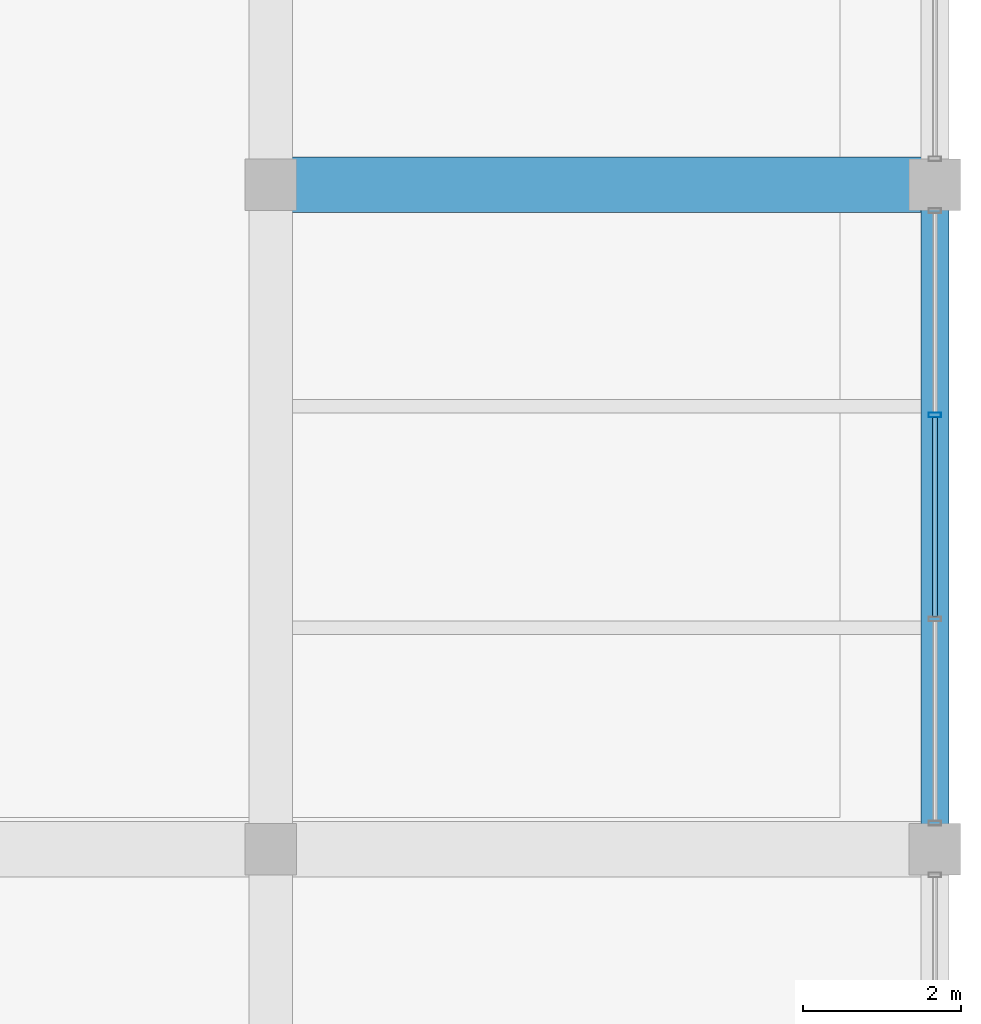
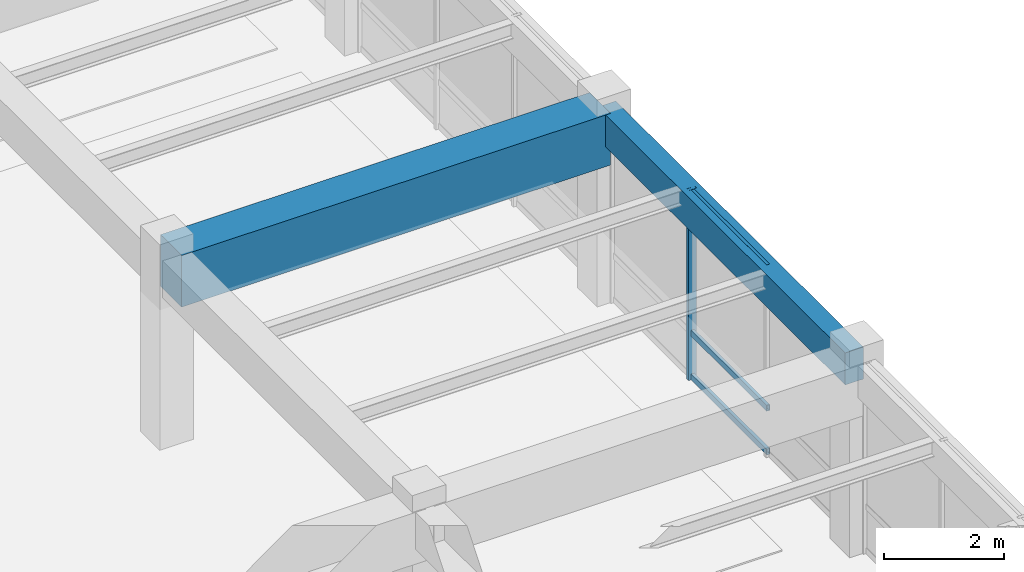
# One storey, part 94 of 138: 4 members, 2 beams, 1 element without a shape of its own.
"""IFC4 building model written with IfcOpenShell, lengths in metres."""

from ifc_helpers import new_model, si_unit, direction, frame, origin, origin_2d, place, context, subcontext, project, spatial, rectangle, hollow_rectangle, extrude, material, material_profile, profile_set, type_object, element, aggregate, save


model = new_model("IFC4")

# Units and contexts
model_context = context("Model", 3, precision=1e-05, world=origin(), true_north=direction((0.0, 1.0)))
body_context = subcontext(model_context, "Body", "Model", "MODEL_VIEW")
ifc_project = project(units=[si_unit("LENGTHUNIT", "METRE"), si_unit("AREAUNIT", "SQUARE_METRE"), si_unit("VOLUMEUNIT", "CUBIC_METRE"), si_unit("PLANEANGLEUNIT", "RADIAN"), si_unit("MASSUNIT", "GRAM", prefix="KILO"), si_unit("THERMODYNAMICTEMPERATUREUNIT", "KELVIN"), si_unit("POWERUNIT", "WATT")], contexts=[model_context])

# Site, building, storey
site_placement = place(None, origin())
site = spatial("IfcSite", under=ifc_project, at=site_placement, CompositionType="ELEMENT")
building_placement = place(site_placement, origin())
building = spatial("IfcBuilding", under=site, at=building_placement, Name="Darbajah Civic Hall", CompositionType="ELEMENT")
storey_placement = place(building_placement, frame((0.0, 0.0, 9.60009765625)))
storey = spatial("IfcBuildingStorey", under=building, at=storey_placement, Name="L02", CompositionType="ELEMENT", Elevation=9.60009765625)

# Curtain wall, members
ifc_material_1 = material(Name="Anodised Bronze Aluminium and Low-E Glazing", Category="aluminium")
curtain_wall_type = type_object("IfcCurtainWallType", Name="Unitised Curtain Wall CW-97 7700x3850", PredefinedType="USERDEFINED", material=ifc_material_1)
curtain_wall_placement = place(storey_placement, origin())
curtain_wall = element("IfcCurtainWall", 1, at=curtain_wall_placement, inside=storey, type_object=curtain_wall_type, Name="L02 unitised curtain wall CW-V4-L02-S1-B2", ObjectType="UNITISED CURTAIN WALL", PredefinedType="USERDEFINED")
ifc_material_2 = material(Name="Anodised Bronze Aluminium", Category="aluminium")
ifc_material_profile_1 = material_profile(ifc_material_2, hollow_rectangle(XDim=0.06005859375, YDim=0.159912109375, WallThickness=0.00341796875, at=origin_2d()), Name="ALU MULLION 60x160")
ifc_profile_set_1 = profile_set([ifc_material_profile_1], Name="Anodised Bronze Aluminium")
member_type_1 = type_object("IfcMemberType", Name="ALU MULLION 60x160", PredefinedType="MULLION", material=ifc_profile_set_1)
member_1_placement = place(storey_placement, frame((178.199951171875, 78.69091796875, 0.0), z_axis=(0.0, 0.0, 1.0), x_axis=(0.0, 1.0, 0.0)))
member_1 = element("IfcMember", 2, at=member_1_placement, type_object=member_type_1, Name="CW-V4-L02-S1-B2 mullion 3", PredefinedType="MULLION", context=body_context, shape_type="SweptSolid", body=[
    extrude(hollow_rectangle(XDim=0.06005859375, YDim=0.159912109375, WallThickness=0.00341796875, at=origin_2d()), origin(), (0.0, 0.0, 1.0), 3.85986328125),
])
ifc_material_profile_2 = material_profile(ifc_material_2, hollow_rectangle(XDim=0.06005859375, YDim=0.1201171875, WallThickness=0.003173828125, at=origin_2d()), Name="ALU TRANSOM 60x120")
ifc_profile_set_2 = profile_set([ifc_material_profile_2], Name="Anodised Bronze Aluminium")
member_type_2 = type_object("IfcMemberType", Name="ALU TRANSOM 60x120", PredefinedType="USERDEFINED", material=ifc_profile_set_2)
member_2_placement = place(storey_placement, frame((178.199951171875, 76.14404296875, 0.059814453125), z_axis=(0.0, 1.0, 0.0), x_axis=(-1.0, 0.0, 0.0)))
member_2 = element("IfcMember", 3, at=member_2_placement, type_object=member_type_2, Name="CW-V4-L02-S1-B2 transom 2.1", ObjectType="TRANSOM", PredefinedType="USERDEFINED", context=body_context, shape_type="SweptSolid", body=[
    extrude(hollow_rectangle(XDim=0.06005859375, YDim=0.1201171875, WallThickness=0.003173828125, at=origin_2d()), origin(), (0.0, 0.0, 1.0), 2.511962890625),
])
member_3_placement = place(storey_placement, frame((178.199951171875, 76.14404296875, 0.949951171875), z_axis=(0.0, 1.0, 0.0), x_axis=(-1.0, 0.0, 0.0)))
member_3 = element("IfcMember", 4, at=member_3_placement, type_object=member_type_2, Name="CW-V4-L02-S1-B2 transom 2.2", ObjectType="TRANSOM", PredefinedType="USERDEFINED", context=body_context, shape_type="SweptSolid", body=[
    extrude(hollow_rectangle(XDim=0.06005859375, YDim=0.1201171875, WallThickness=0.003173828125, at=origin_2d()), origin(), (0.0, 0.0, 1.0), 2.511962890625),
])
member_4_placement = place(storey_placement, frame((178.199951171875, 76.14404296875, 3.7998046875), z_axis=(0.0, 1.0, 0.0), x_axis=(-1.0, 0.0, 0.0)))
member_4 = element("IfcMember", 5, at=member_4_placement, type_object=member_type_2, Name="CW-V4-L02-S1-B2 transom 2.3", ObjectType="TRANSOM", PredefinedType="USERDEFINED", context=body_context, shape_type="SweptSolid", body=[
    extrude(hollow_rectangle(XDim=0.06005859375, YDim=0.1201171875, WallThickness=0.003173828125, at=origin_2d()), origin(), (0.0, 0.0, 1.0), 2.511962890625),
])
aggregate(curtain_wall, [member_1, member_2, member_3, member_4])

# Beams
ifc_material_3 = material(Name="Concrete C50/60", Category="concrete")
ifc_material_profile_3 = material_profile(ifc_material_3, rectangle(XDim=0.699951171875, YDim=1.050048828125, at=origin_2d()), Name="RC GIRDER 700x1050")
ifc_profile_set_3 = profile_set([ifc_material_profile_3], Name="Concrete C50/60")
beam_type_1 = type_object("IfcBeamType", Name="RC GIRDER 700x1050", PredefinedType="BEAM", material=ifc_profile_set_3)
beam_1_placement = place(storey_placement, frame((169.8798828125, 81.60009765625, 3.3349609375), z_axis=(1.0, 0.0, 0.0), x_axis=(0.0, 1.0, 0.0)))
element("IfcBeam", 6, at=beam_1_placement, inside=storey, type_object=beam_type_1, Name="L02 beam BG-7010", PredefinedType="BEAM", context=body_context, shape_type="SweptSolid", body=[
    extrude(rectangle(XDim=0.699951171875, YDim=1.050048828125, at=origin_2d()), origin(), (0.0, 0.0, 1.0), 8.240234375),
])
ifc_material_4 = material(Name="Concrete C45/55", Category="concrete")
ifc_material_profile_4 = material_profile(ifc_material_4, rectangle(XDim=0.35009765625, YDim=0.64990234375, at=origin_2d()), Name="RC SPANDREL 350x650")
ifc_profile_set_4 = profile_set([ifc_material_profile_4], Name="Concrete C45/55")
beam_type_2 = type_object("IfcBeamType", Name="RC SPANDREL 350x650", PredefinedType="SPANDREL", material=ifc_profile_set_4)
beam_2_placement = place(storey_placement, frame((178.199951171875, 73.280029296875, 3.534912109375), z_axis=(0.0, 1.0, 0.0), x_axis=(-1.0, 0.0, 0.0)))
element("IfcBeam", 7, at=beam_2_placement, inside=storey, type_object=beam_type_2, Name="L02 beam SP-3565", PredefinedType="SPANDREL", context=body_context, shape_type="SweptSolid", body=[
    extrude(rectangle(XDim=0.35009765625, YDim=0.64990234375, at=origin_2d()), origin(), (0.0, 0.0, 1.0), 8.239990234375),
])

save(model, "model.ifc")
